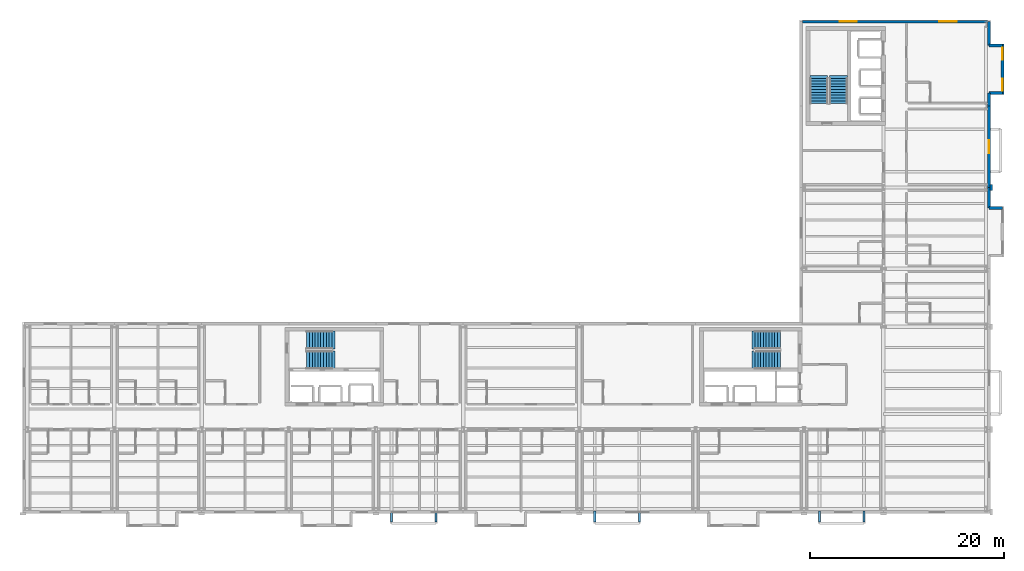
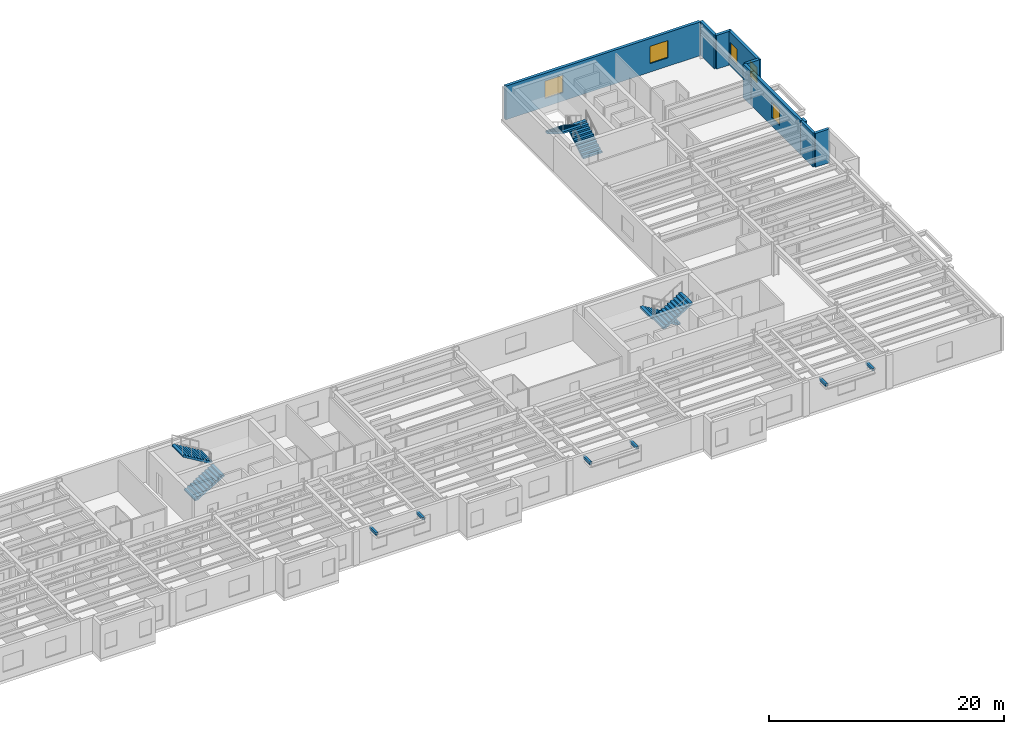
# One storey, part 15 of 17: 10 walls, 6 discrete accessories, 6 stair flights, 5 windows, 5 openings, 3 elements without a shape of their own.
"""IFC4 building model written with IfcOpenShell, lengths in metres."""

from ifc_helpers import new_model, si_unit, direction, frame, frame_2d, origin, origin_2d, place, context, subcontext, project, spatial, polyline, rectangle, outline, extrude, material, layer, layer_set, type_object, element, fill, aggregate, save


model = new_model("IFC4")

# Units and contexts
model_context = context("Model", 3, precision=1e-05, world=origin(), true_north=direction((0.0, 1.0)))
body_context = subcontext(model_context, "Body", "Model", "MODEL_VIEW")
ifc_project = project(units=[si_unit("LENGTHUNIT", "METRE"), si_unit("AREAUNIT", "SQUARE_METRE"), si_unit("VOLUMEUNIT", "CUBIC_METRE"), si_unit("PLANEANGLEUNIT", "RADIAN"), si_unit("MASSUNIT", "GRAM", prefix="KILO")], contexts=[model_context])

# Site, building, storey
site_placement = place(None, origin())
site = spatial("IfcSite", under=ifc_project, at=site_placement, CompositionType="ELEMENT")
building_placement = place(site_placement, origin())
building = spatial("IfcBuilding", under=site, at=building_placement, Name="Sollismere Congress Hotel", CompositionType="ELEMENT")
storey_placement = place(building_placement, frame((0.0, 0.0, 37.60009765625)))
storey = spatial("IfcBuildingStorey", under=building, at=storey_placement, Name="L09", CompositionType="ELEMENT", Elevation=37.60009765625)

# Walls
ifc_material_1 = material(Name="Colorado Buff Sandstone Rainscreen on Insulated Backup", Category="masonry")
ifc_layer_1 = layer(ifc_material_1, 0.284912109375, Name="Colorado Buff Sandstone Rainscreen on Insulated Backup")
ifc_layer_set_1 = layer_set([ifc_layer_1], Name="Colorado Buff Sandstone Rainscreen on Insulated Backup")
wall_type_1 = type_object("IfcWallType", Name="WL-EXT285", PredefinedType="STANDARD", material=ifc_layer_set_1)
wall_1_placement = place(storey_placement, frame((166.31005859375, 31.06005859375, 0.0), z_axis=(0.0, 0.0, 1.0), x_axis=(0.0, 1.0, 0.0)))
element("IfcWall", 1, at=wall_1_placement, inside=storey, type_object=wall_type_1, Name="Exterior wall EW-L09-915", PredefinedType="STANDARD", context=body_context, shape_type="SweptSolid", body=[
    extrude(rectangle(XDim=2.139892578125, YDim=0.284912109375, at=frame_2d((1.06982421875, 0.0))), origin(), (0.0, 0.0, 1.0), 3.5),
])
wall_2_placement = place(storey_placement, frame((167.699951171875, 31.06005859375, 0.0), z_axis=(0.0, 0.0, 1.0), x_axis=(-1.0, 0.0, 0.0)))
element("IfcWall", 2, at=wall_2_placement, inside=storey, type_object=wall_type_1, Name="Exterior wall EW-L09-918", PredefinedType="STANDARD", context=body_context, shape_type="SweptSolid", body=[
    extrude(rectangle(XDim=1.389892578125, YDim=0.284912109375, at=frame_2d((0.69482421875, 0.0))), origin(), (0.0, 0.0, 1.0), 3.5),
])

# Wall, opening, window
wall_3_placement = place(storey_placement, frame((166.31005859375, 33.199951171875, 0.0), z_axis=(0.0, 0.0, 1.0), x_axis=(0.0, 1.0, 0.0)))
wall_3 = element("IfcWall", 3, at=wall_3_placement, inside=storey, type_object=wall_type_1, Name="Exterior wall EW-L09-919", PredefinedType="STANDARD", context=body_context, shape_type="SweptSolid", body=[
    extrude(rectangle(XDim=8.400146484375, YDim=0.284912109375, at=frame_2d((4.2001953125, 0.0))), origin(), (0.0, 0.0, 1.0), 3.5),
])
opening_1_placement = place(wall_3_placement, frame((3.52490234375, 0.0, 0.85009765625)))
opening_1 = element("IfcOpeningElement", 4, at=opening_1_placement, cuts=wall_3, Name="Opening W-L09-657", PredefinedType="OPENING", context=body_context, shape_type="SweptSolid", body=[
    extrude(rectangle(XDim=1.35009765625, YDim=1.64990234375, at=frame_2d((0.675048828125, 0.824951171875))), frame((0.0, 0.15234375, 0.0), z_axis=(0.0, -1.0, 0.0), x_axis=(1.0, 0.0, 0.0)), (0.0, 0.0, 1.0), 0.304931640625),
])
ifc_material_2 = material(Name="Thermally Broken Bronze Aluminum & Low-E Glass", Category="aluminium")
window_type_1 = type_object("IfcWindowType", Name="WN-P135x165", PartitioningType="SINGLE_PANEL", PredefinedType="WINDOW", material=ifc_material_2)
window_1_placement = place(opening_1_placement, origin())
window_1 = element("IfcWindow", 5, at=window_1_placement, inside=storey, type_object=window_type_1, Name="WIN-W-L09-657", OverallHeight=1.64990234375, OverallWidth=1.35009765625, PartitioningType="SINGLE_PANEL", PredefinedType="WINDOW", context=body_context, shape_type="SweptSolid", body=[
    extrude(rectangle(XDim=1.35009765625, YDim=1.64990234375, at=frame_2d((0.675048828125, 0.824951171875))), frame((0.0, 0.030029296875, 0.0), z_axis=(0.0, -1.0, 0.0), x_axis=(1.0, 0.0, 0.0)), (0.0, 0.0, 1.0), 0.06005859375),
])
fill(opening_1, window_1)

# Walls
wall_4_placement = place(storey_placement, frame((166.31005859375, 41.60009765625, 0.0), z_axis=(0.0, 0.0, 1.0), x_axis=(0.0, 1.0, 0.0)))
element("IfcWall", 6, at=wall_4_placement, inside=storey, type_object=wall_type_1, Name="Exterior wall EW-L09-921", PredefinedType="STANDARD", context=body_context, shape_type="SweptSolid", body=[
    extrude(rectangle(XDim=1.33984375, YDim=0.284912109375, at=frame_2d((0.669921875, 0.0))), origin(), (0.0, 0.0, 1.0), 3.5),
])
wall_5_placement = place(storey_placement, frame((166.31005859375, 47.860107421875, 0.0), z_axis=(0.0, 0.0, 1.0), x_axis=(0.0, 1.0, 0.0)))
element("IfcWall", 7, at=wall_5_placement, inside=storey, type_object=wall_type_1, Name="Exterior wall EW-L09-922", PredefinedType="STANDARD", context=body_context, shape_type="SweptSolid", body=[
    extrude(rectangle(XDim=2.449951171875, YDim=0.284912109375, at=frame_2d((1.22509765625, 0.0))), origin(), (0.0, 0.0, 1.0), 3.5),
])

# Wall, openings, windows
wall_6_placement = place(storey_placement, frame((167.699951171875, 42.800048828125, 0.0), z_axis=(0.0, 0.0, 1.0), x_axis=(0.0, 1.0, 0.0)))
wall_6 = element("IfcWall", 8, at=wall_6_placement, inside=storey, type_object=wall_type_1, Name="Exterior wall EW-L09-923", PredefinedType="STANDARD", context=body_context, shape_type="SweptSolid", body=[
    extrude(rectangle(XDim=5.199951171875, YDim=0.284912109375, at=frame_2d((2.60009765625, 0.0))), origin(), (0.0, 0.0, 1.0), 3.5),
])
opening_2_placement = place(wall_6_placement, frame((0.39990234375, 0.0, 0.85009765625)))
opening_2 = element("IfcOpeningElement", 9, at=opening_2_placement, cuts=wall_6, Name="Opening W-L09-658", PredefinedType="OPENING", context=body_context, shape_type="SweptSolid", body=[
    extrude(rectangle(XDim=1.199951171875, YDim=1.60009765625, at=frame_2d((0.60009765625, 0.800048828125))), frame((0.0, 0.15234375, 0.0), z_axis=(0.0, -1.0, 0.0), x_axis=(1.0, 0.0, 0.0)), (0.0, 0.0, 1.0), 0.304931640625),
])
opening_3_placement = place(wall_6_placement, frame((3.60009765625, 0.0, 0.85009765625)))
opening_3 = element("IfcOpeningElement", 10, at=opening_3_placement, cuts=wall_6, Name="Opening W-L09-659", PredefinedType="OPENING", context=body_context, shape_type="SweptSolid", body=[
    extrude(rectangle(XDim=1.199951171875, YDim=1.60009765625, at=frame_2d((0.60009765625, 0.800048828125))), frame((0.0, 0.15234375, 0.0), z_axis=(0.0, -1.0, 0.0), x_axis=(1.0, 0.0, 0.0)), (0.0, 0.0, 1.0), 0.304931640625),
])
window_type_2 = type_object("IfcWindowType", Name="WN-P120x160", PartitioningType="SINGLE_PANEL", PredefinedType="WINDOW", material=ifc_material_2)
window_2_placement = place(opening_2_placement, origin())
window_2 = element("IfcWindow", 11, at=window_2_placement, inside=storey, type_object=window_type_2, Name="WIN-W-L09-658", OverallHeight=1.60009765625, OverallWidth=1.199951171875, PartitioningType="SINGLE_PANEL", PredefinedType="WINDOW", context=body_context, shape_type="SweptSolid", body=[
    extrude(rectangle(XDim=1.199951171875, YDim=1.60009765625, at=frame_2d((0.60009765625, 0.800048828125))), frame((0.0, 0.030029296875, 0.0), z_axis=(0.0, -1.0, 0.0), x_axis=(1.0, 0.0, 0.0)), (0.0, 0.0, 1.0), 0.06005859375),
])
fill(opening_2, window_2)
window_3_placement = place(opening_3_placement, origin())
window_3 = element("IfcWindow", 12, at=window_3_placement, inside=storey, type_object=window_type_2, Name="WIN-W-L09-659", OverallHeight=1.60009765625, OverallWidth=1.199951171875, PartitioningType="SINGLE_PANEL", PredefinedType="WINDOW", context=body_context, shape_type="SweptSolid", body=[
    extrude(rectangle(XDim=1.199951171875, YDim=1.60009765625, at=frame_2d((0.60009765625, 0.800048828125))), frame((0.0, 0.030029296875, 0.0), z_axis=(0.0, -1.0, 0.0), x_axis=(1.0, 0.0, 0.0)), (0.0, 0.0, 1.0), 0.06005859375),
])
fill(opening_3, window_3)

# Walls
for number, where, z_axis, x_axis, name in (
    (13, (166.31005859375, 42.93994140625, 0.0), (0.0, 0.0, 1.0), (1.0, 0.0, 0.0), "Exterior wall EW-L09-924"),
    (14, (167.699951171875, 47.860107421875, 0.0), (0.0, 0.0, 1.0), (-1.0, 0.0, 0.0), "Exterior wall EW-L09-925"),
):
    element("IfcWall", number, at=place(storey_placement, frame(where, z_axis=z_axis, x_axis=x_axis)), inside=storey, type_object=wall_type_1, Name=name, PredefinedType="STANDARD", context=body_context, shape_type="SweptSolid", body=[
        extrude(rectangle(XDim=1.389892578125, YDim=0.284912109375, at=frame_2d((0.69482421875, 0.0))), origin(), (0.0, 0.0, 1.0), 3.5),
    ])

# Wall, openings, windows
wall_7_placement = place(storey_placement, frame((166.16552734375, 50.31005859375, 0.0), z_axis=(0.0, 0.0, 1.0), x_axis=(-1.0, 0.0, 0.0)))
wall_7 = element("IfcWall", 15, at=wall_7_placement, inside=storey, type_object=wall_type_1, Name="Exterior wall EW-L09-940", PredefinedType="STANDARD", context=body_context, shape_type="SweptSolid", body=[
    extrude(rectangle(XDim=19.131103515625, YDim=0.284912109375, at=frame_2d((9.5654296875, 0.0))), origin(), (0.0, 0.0, 1.0), 3.5),
])
opening_4_placement = place(wall_7_placement, frame((3.199951171875, 0.0, 0.8798828125)))
opening_4 = element("IfcOpeningElement", 16, at=opening_4_placement, cuts=wall_7, Name="Opening W-L09-672", PredefinedType="OPENING", context=body_context, shape_type="SweptSolid", body=[
    extrude(rectangle(XDim=1.800048828125, YDim=1.800048828125, at=frame_2d((0.89990234375, 0.89990234375))), frame((0.0, 0.15234375, 0.0), z_axis=(0.0, -1.0, 0.0), x_axis=(1.0, 0.0, 0.0)), (0.0, 0.0, 1.0), 0.304931640625),
])
opening_5_placement = place(wall_7_placement, frame((13.5, 0.0, 0.8798828125)))
opening_5 = element("IfcOpeningElement", 17, at=opening_5_placement, cuts=wall_7, Name="Opening W-L09-673", PredefinedType="OPENING", context=body_context, shape_type="SweptSolid", body=[
    extrude(rectangle(XDim=1.800048828125, YDim=1.800048828125, at=frame_2d((0.89990234375, 0.89990234375))), frame((0.0, 0.15234375, 0.0), z_axis=(0.0, -1.0, 0.0), x_axis=(1.0, 0.0, 0.0)), (0.0, 0.0, 1.0), 0.304931640625),
])
window_type_3 = type_object("IfcWindowType", Name="WN-P180x180", PartitioningType="SINGLE_PANEL", PredefinedType="WINDOW", material=ifc_material_2)
window_4_placement = place(opening_4_placement, origin())
window_4 = element("IfcWindow", 18, at=window_4_placement, inside=storey, type_object=window_type_3, Name="WIN-W-L09-672", OverallHeight=1.800048828125, OverallWidth=1.800048828125, PartitioningType="SINGLE_PANEL", PredefinedType="WINDOW", context=body_context, shape_type="SweptSolid", body=[
    extrude(rectangle(XDim=1.800048828125, YDim=1.800048828125, at=frame_2d((0.89990234375, 0.89990234375))), frame((0.0, 0.030029296875, 0.0), z_axis=(0.0, -1.0, 0.0), x_axis=(1.0, 0.0, 0.0)), (0.0, 0.0, 1.0), 0.06005859375),
])
fill(opening_4, window_4)
window_5_placement = place(opening_5_placement, origin())
window_5 = element("IfcWindow", 19, at=window_5_placement, inside=storey, type_object=window_type_3, Name="WIN-W-L09-673", OverallHeight=1.800048828125, OverallWidth=1.800048828125, PartitioningType="SINGLE_PANEL", PredefinedType="WINDOW", context=body_context, shape_type="SweptSolid", body=[
    extrude(rectangle(XDim=1.800048828125, YDim=1.800048828125, at=frame_2d((0.89990234375, 0.89990234375))), frame((0.0, 0.030029296875, 0.0), z_axis=(0.0, -1.0, 0.0), x_axis=(1.0, 0.0, 0.0)), (0.0, 0.0, 1.0), 0.06005859375),
])
fill(opening_5, window_5)

# Wall
ifc_material_3 = material(Name="Carved Travertine Pilaster & Frieze Assembly", Category="masonry")
ifc_layer_2 = layer(ifc_material_3, 0.260009765625, Name="Carved Travertine Pilaster & Frieze Assembly")
ifc_layer_set_2 = layer_set([ifc_layer_2], Name="Carved Travertine Pilaster & Frieze Assembly")
wall_type_2 = type_object("IfcWallType", Name="WL-PIL280", PredefinedType="ELEMENTEDWALL", material=ifc_layer_set_2)
wall_8_placement = place(storey_placement, frame((166.52001953125, 32.89990234375, 0.0), z_axis=(0.0, 0.0, 1.0), x_axis=(0.0, 1.0, 0.0)))
element("IfcWall", 20, at=wall_8_placement, inside=storey, type_object=wall_type_2, Name="Exterior wall EW-L09-920", PredefinedType="ELEMENTEDWALL", context=body_context, shape_type="SweptSolid", body=[
    extrude(rectangle(XDim=0.60009765625, YDim=0.260009765625, at=frame_2d((0.300048828125, 0.0))), origin(), (0.0, 0.0, 1.0), 3.5),
])

# Stair, stair flights
ifc_material_4 = material(Name="Concrete C40/50", Category="concrete")
stair_type = type_object("IfcStairType", Name="STR-DL-350", PredefinedType="HALF_TURN_STAIR", material=ifc_material_4)
stair_1_placement = place(storey_placement, origin())
stair_1 = element("IfcStair", 21, at=stair_1_placement, inside=storey, type_object=stair_type, Name="Protected exit stair ST-01-L09", PredefinedType="HALF_TURN_STAIR")
stair_flight_type = type_object("IfcStairFlightType", Name="STF-DL-350", PredefinedType="STRAIGHT", material=ifc_material_4)
stair_flight_1_placement = place(storey_placement, frame((144.75, 17.425048828125, 0.0), z_axis=(0.0, 0.0, 1.0), x_axis=(-1.0, 0.0, 0.0)))
stair_flight_1 = element("IfcStairFlight", 22, at=stair_flight_1_placement, type_object=stair_flight_type, Name="Exit stair flight ST-01-L09-F1", NumberOfRisers=10, NumberOfTreads=10, PredefinedType="STRAIGHT", RiserHeight=0.175048828125, TreadLength=0.2900390625, context=body_context, shape_type="SweptSolid", body=[
    extrude(outline(polyline([(0.0, 0.0), (0.0, 0.175048828125), (0.2900390625, 0.175048828125), (0.2900390625, 0.35009765625), (0.580078125, 0.35009765625), (0.580078125, 0.525146484375), (0.8701171875, 0.525146484375), (0.8701171875, 0.7001953125), (1.16015625, 0.7001953125), (1.16015625, 0.875244140625), (1.4501953125, 0.875244140625), (1.4501953125, 1.05029296875), (1.740234375, 1.05029296875), (1.740234375, 1.225341796875), (2.0302734375, 1.225341796875), (2.0302734375, 1.400390625), (2.3203125, 1.400390625), (2.3203125, 1.575439453125), (2.6103515625, 1.575439453125), (2.6103515625, 1.75048828125), (2.900390625, 1.75048828125), (2.900390625, 1.563720703125), (0.3095703125, 0.0), (0.0, 0.0)])), frame((0.0, 0.925048828125, 0.0), z_axis=(0.0, -1.0, 0.0), x_axis=(1.0, 0.0, 0.0)), (0.0, 0.0, 1.0), 1.85009765625),
])
stair_flight_2_placement = place(storey_placement, frame((141.85009765625, 15.375, 1.75), z_axis=(0.0, 0.0, 1.0), x_axis=(1.0, 0.0, 0.0)))
stair_flight_2 = element("IfcStairFlight", 23, at=stair_flight_2_placement, type_object=stair_flight_type, Name="Exit stair flight ST-01-L09-F2", NumberOfRisers=10, NumberOfTreads=10, PredefinedType="STRAIGHT", RiserHeight=0.175048828125, TreadLength=0.2900390625, context=body_context, shape_type="SweptSolid", body=[
    extrude(outline(polyline([(0.0, 0.0), (0.0, 0.175048828125), (0.2900390625, 0.175048828125), (0.2900390625, 0.35009765625), (0.580078125, 0.35009765625), (0.580078125, 0.525146484375), (0.8701171875, 0.525146484375), (0.8701171875, 0.7001953125), (1.16015625, 0.7001953125), (1.16015625, 0.875244140625), (1.4501953125, 0.875244140625), (1.4501953125, 1.05029296875), (1.740234375, 1.05029296875), (1.740234375, 1.225341796875), (2.0302734375, 1.225341796875), (2.0302734375, 1.400390625), (2.3203125, 1.400390625), (2.3203125, 1.575439453125), (2.6103515625, 1.575439453125), (2.6103515625, 1.75048828125), (2.900390625, 1.75048828125), (2.900390625, 1.563720703125), (0.3095703125, 0.0), (0.0, 0.0)])), frame((0.0, 0.925048828125, 0.0), z_axis=(0.0, -1.0, 0.0), x_axis=(1.0, 0.0, 0.0)), (0.0, 0.0, 1.0), 1.85009765625),
])
aggregate(stair_1, [stair_flight_1, stair_flight_2])

stair_2_placement = place(storey_placement, origin())
stair_2 = element("IfcStair", 24, at=stair_2_placement, inside=storey, type_object=stair_type, Name="Protected exit stair ST-02-L09", PredefinedType="HALF_TURN_STAIR")
stair_flight_3_placement = place(storey_placement, frame((95.85009765625, 15.375, 0.0), z_axis=(0.0, 0.0, 1.0), x_axis=(1.0, 0.0, 0.0)))
stair_flight_3 = element("IfcStairFlight", 25, at=stair_flight_3_placement, type_object=stair_flight_type, Name="Exit stair flight ST-02-L09-F1", NumberOfRisers=10, NumberOfTreads=10, PredefinedType="STRAIGHT", RiserHeight=0.175048828125, TreadLength=0.2900390625, context=body_context, shape_type="SweptSolid", body=[
    extrude(outline(polyline([(0.0, 0.0), (0.0, 0.175048828125), (0.2900390625, 0.175048828125), (0.2900390625, 0.35009765625), (0.580078125, 0.35009765625), (0.580078125, 0.525146484375), (0.8701171875, 0.525146484375), (0.8701171875, 0.7001953125), (1.16015625, 0.7001953125), (1.16015625, 0.875244140625), (1.4501953125, 0.875244140625), (1.4501953125, 1.05029296875), (1.740234375, 1.05029296875), (1.740234375, 1.225341796875), (2.0302734375, 1.225341796875), (2.0302734375, 1.400390625), (2.3203125, 1.400390625), (2.3203125, 1.575439453125), (2.6103515625, 1.575439453125), (2.6103515625, 1.75048828125), (2.900390625, 1.75048828125), (2.900390625, 1.563720703125), (0.3095703125, 0.0), (0.0, 0.0)])), frame((0.0, 0.925048828125, 0.0), z_axis=(0.0, -1.0, 0.0), x_axis=(1.0, 0.0, 0.0)), (0.0, 0.0, 1.0), 1.85009765625),
])
stair_flight_4_placement = place(storey_placement, frame((98.75, 17.425048828125, 1.75), z_axis=(0.0, 0.0, 1.0), x_axis=(-1.0, 0.0, 0.0)))
stair_flight_4 = element("IfcStairFlight", 26, at=stair_flight_4_placement, type_object=stair_flight_type, Name="Exit stair flight ST-02-L09-F2", NumberOfRisers=10, NumberOfTreads=10, PredefinedType="STRAIGHT", RiserHeight=0.175048828125, TreadLength=0.2900390625, context=body_context, shape_type="SweptSolid", body=[
    extrude(outline(polyline([(0.0, 0.0), (0.0, 0.175048828125), (0.2900390625, 0.175048828125), (0.2900390625, 0.35009765625), (0.580078125, 0.35009765625), (0.580078125, 0.525146484375), (0.8701171875, 0.525146484375), (0.8701171875, 0.7001953125), (1.16015625, 0.7001953125), (1.16015625, 0.875244140625), (1.4501953125, 0.875244140625), (1.4501953125, 1.05029296875), (1.740234375, 1.05029296875), (1.740234375, 1.225341796875), (2.0302734375, 1.225341796875), (2.0302734375, 1.400390625), (2.3203125, 1.400390625), (2.3203125, 1.575439453125), (2.6103515625, 1.575439453125), (2.6103515625, 1.75048828125), (2.900390625, 1.75048828125), (2.900390625, 1.563720703125), (0.3095703125, 0.0), (0.0, 0.0)])), frame((0.0, 0.925048828125, 0.0), z_axis=(0.0, -1.0, 0.0), x_axis=(1.0, 0.0, 0.0)), (0.0, 0.0, 1.0), 1.85009765625),
])
aggregate(stair_2, [stair_flight_3, stair_flight_4])

stair_3_placement = place(storey_placement, origin())
stair_3 = element("IfcStair", 27, at=stair_3_placement, inside=storey, type_object=stair_type, Name="Protected exit stair ST-03-L09", PredefinedType="HALF_TURN_STAIR")
stair_flight_5_placement = place(storey_placement, frame((150.77490234375, 41.85009765625, 0.0), z_axis=(0.0, 0.0, 1.0), x_axis=(0.0, 1.0, 0.0)))
stair_flight_5 = element("IfcStairFlight", 28, at=stair_flight_5_placement, type_object=stair_flight_type, Name="Exit stair flight ST-03-L09-F1", NumberOfRisers=10, NumberOfTreads=10, PredefinedType="STRAIGHT", RiserHeight=0.175048828125, TreadLength=0.2900390625, context=body_context, shape_type="SweptSolid", body=[
    extrude(outline(polyline([(0.0, 0.0), (0.0, 0.175048828125), (0.2900390625, 0.175048828125), (0.2900390625, 0.35009765625), (0.580078125, 0.35009765625), (0.580078125, 0.525146484375), (0.8701171875, 0.525146484375), (0.8701171875, 0.7001953125), (1.16015625, 0.7001953125), (1.16015625, 0.875244140625), (1.4501953125, 0.875244140625), (1.4501953125, 1.05029296875), (1.740234375, 1.05029296875), (1.740234375, 1.225341796875), (2.0302734375, 1.225341796875), (2.0302734375, 1.400390625), (2.3203125, 1.400390625), (2.3203125, 1.575439453125), (2.6103515625, 1.575439453125), (2.6103515625, 1.75048828125), (2.900390625, 1.75048828125), (2.900390625, 1.563720703125), (0.3095703125, 0.0), (0.0, 0.0)])), frame((0.0, 0.925048828125, 0.0), z_axis=(0.0, -1.0, 0.0), x_axis=(1.0, 0.0, 0.0)), (0.0, 0.0, 1.0), 1.85009765625),
])
stair_flight_6_placement = place(storey_placement, frame((148.72509765625, 44.75, 1.75), z_axis=(0.0, 0.0, 1.0), x_axis=(0.0, -1.0, 0.0)))
stair_flight_6 = element("IfcStairFlight", 29, at=stair_flight_6_placement, type_object=stair_flight_type, Name="Exit stair flight ST-03-L09-F2", NumberOfRisers=10, NumberOfTreads=10, PredefinedType="STRAIGHT", RiserHeight=0.175048828125, TreadLength=0.2900390625, context=body_context, shape_type="SweptSolid", body=[
    extrude(outline(polyline([(0.0, 0.0), (0.0, 0.175048828125), (0.2900390625, 0.175048828125), (0.2900390625, 0.35009765625), (0.580078125, 0.35009765625), (0.580078125, 0.525146484375), (0.8701171875, 0.525146484375), (0.8701171875, 0.7001953125), (1.16015625, 0.7001953125), (1.16015625, 0.875244140625), (1.4501953125, 0.875244140625), (1.4501953125, 1.05029296875), (1.740234375, 1.05029296875), (1.740234375, 1.225341796875), (2.0302734375, 1.225341796875), (2.0302734375, 1.400390625), (2.3203125, 1.400390625), (2.3203125, 1.575439453125), (2.6103515625, 1.575439453125), (2.6103515625, 1.75048828125), (2.900390625, 1.75048828125), (2.900390625, 1.563720703125), (0.3095703125, 0.0), (0.0, 0.0)])), frame((0.0, 0.925048828125, 0.0), z_axis=(0.0, -1.0, 0.0), x_axis=(1.0, 0.0, 0.0)), (0.0, 0.0, 1.0), 1.85009765625),
])
aggregate(stair_3, [stair_flight_5, stair_flight_6])

# Discrete accessories
ifc_material_5 = material(Name="Steel ASTM A572 Grade 50", Category="steel")
discrete_accessory_type = type_object("IfcDiscreteAccessoryType", Name="BRK-STL", PredefinedType="BRACKET", material=ifc_material_5)
for number, where, z_axis, x_axis, name in (
    (30, (104.60009765625, -0.800048828125, 2.97509765625), (0.0, 0.0, 1.0), (1.0, 0.0, 0.0), "BRK-CK-065"),
    (31, (109.199951171875, -0.800048828125, 2.97509765625), (0.0, 0.0, 1.0), (1.0, 0.0, 0.0), "BRK-CK-066"),
    (32, (125.60009765625, -0.800048828125, 2.97509765625), (0.0, 0.0, 1.0), (1.0, 0.0, 0.0), "BRK-CK-067"),
    (33, (130.199951171875, -0.800048828125, 2.97509765625), (0.0, 0.0, 1.0), (1.0, 0.0, 0.0), "BRK-CK-068"),
    (34, (148.800048828125, -0.800048828125, 2.97509765625), (0.0, 0.0, 1.0), (1.0, 0.0, 0.0), "BRK-CK-069"),
    (35, (153.39990234375, -0.800048828125, 2.97509765625), (0.0, 0.0, 1.0), (1.0, 0.0, 0.0), "BRK-CK-070"),
):
    element("IfcDiscreteAccessory", number, at=place(storey_placement, frame(where, z_axis=z_axis, x_axis=x_axis)), inside=storey, type_object=discrete_accessory_type, Name=name, PredefinedType="BRACKET", context=body_context, shape_type="SweptSolid", body=[
        extrude(rectangle(XDim=0.219970703125, YDim=1.14990234375, at=origin_2d()), origin(), (0.0, 0.0, 1.0), 0.260009765625),
    ])

save(model, "model.ifc")
